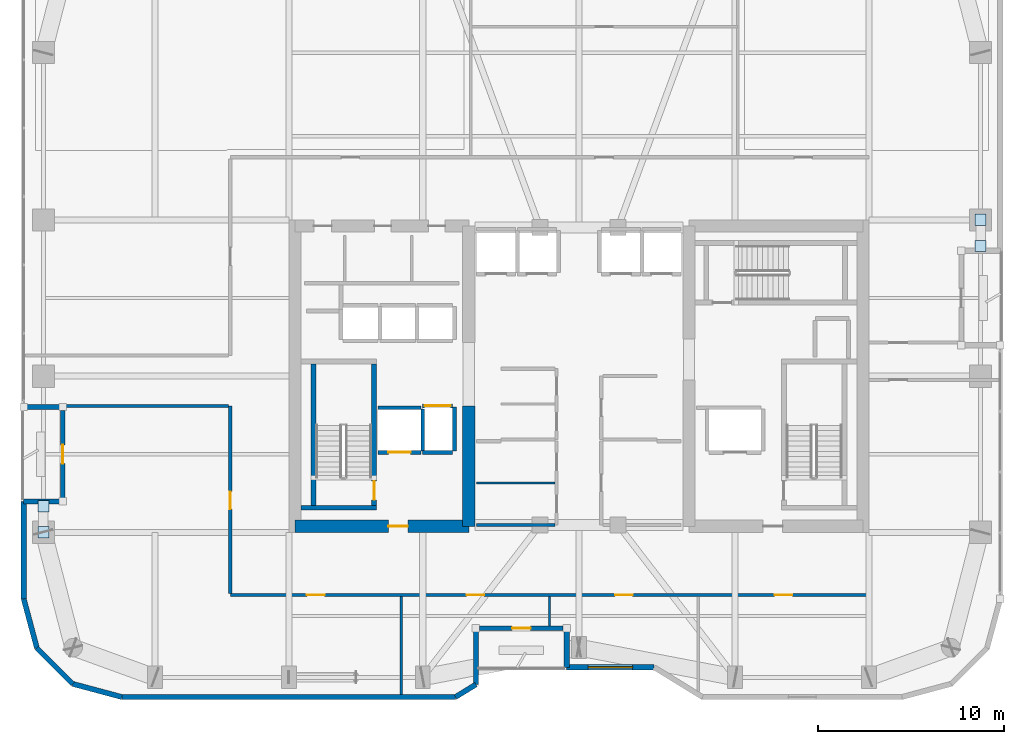
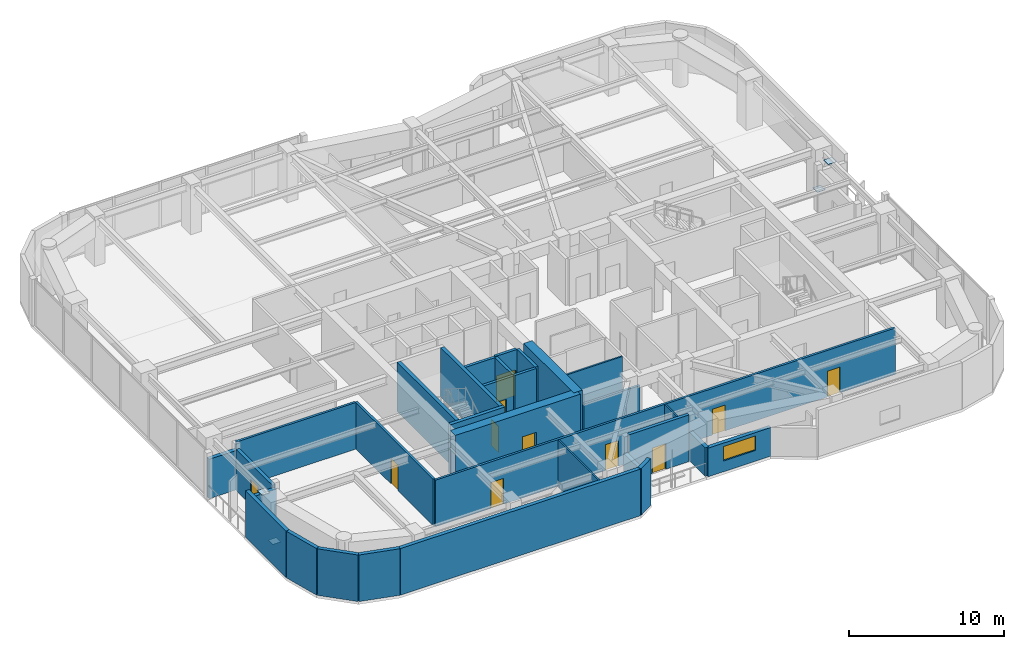
# One storey, part 24 of 30: 31 walls, 11 doors, 4 plates, 1 window, 12 openings.
"""IFC4 building model written with IfcOpenShell, lengths in metres."""

from ifc_helpers import new_model, si_unit, direction, frame, frame_2d, origin, origin_2d, place, context, subcontext, project, spatial, rectangle, extrude, material, layer, layer_set, type_object, element, fill, save


model = new_model("IFC4")

# Units and contexts
model_context = context("Model", 3, precision=1e-05, world=origin(), true_north=direction((0.0, 1.0)))
body_context = subcontext(model_context, "Body", "Model", "MODEL_VIEW")
ifc_project = project(units=[si_unit("LENGTHUNIT", "METRE"), si_unit("AREAUNIT", "SQUARE_METRE"), si_unit("VOLUMEUNIT", "CUBIC_METRE"), si_unit("PLANEANGLEUNIT", "RADIAN"), si_unit("MASSUNIT", "GRAM", prefix="KILO")], contexts=[model_context])

# Site, building, storey
site_placement = place(None, origin())
site = spatial("IfcSite", under=ifc_project, at=site_placement, CompositionType="ELEMENT")
building_placement = place(site_placement, origin())
building = spatial("IfcBuilding", under=site, at=building_placement, Name="Kiyonajd Concourse Tower", CompositionType="ELEMENT")
storey_placement = place(building_placement, frame((0.0, 0.0, 194.10009765625)))
storey = spatial("IfcBuildingStorey", under=building, at=storey_placement, Name="L49", CompositionType="ELEMENT", Elevation=194.10009765625)

# Plates
ifc_material_1 = material(Name="Steel ASTM A572 Grade 50", Category="steel")
ifc_layer_1 = layer(ifc_material_1, 0.028076171875)
ifc_layer_set_1 = layer_set([ifc_layer_1], Name="Steel ASTM A572 Grade 50")
plate_type = type_object("IfcPlateType", Name="PL-CAP-450", PredefinedType="USERDEFINED", material=ifc_layer_set_1)
for number, where, z_axis, x_axis, name in (
    (1, (19.199951171875, 27.595458984375, 0.27587890625), (0.0, 0.0, 1.0), (1.0, 0.0, 0.0), "L49 Hollow Brace End Cap Plate PBW"),
    (2, (19.199951171875, 29.004638671875, 3.32568359375), (0.0, 0.0, 1.0), (1.0, 0.0, 0.0), "L49 Hollow Brace Top Cap Plate PBW"),
    (3, (69.60009765625, 44.404541015625, 0.27587890625), (0.0, 0.0, 1.0), (1.0, 0.0, 0.0), "L49 Hollow Brace End Cap Plate PBE"),
    (4, (69.60009765625, 42.995361328125, 3.32568359375), (0.0, 0.0, 1.0), (1.0, 0.0, 0.0), "L49 Hollow Brace Top Cap Plate PBE"),
):
    element("IfcPlate", number, at=place(storey_placement, frame(where, z_axis=z_axis, x_axis=x_axis)), inside=storey, type_object=plate_type, Name=name, ObjectType="CAP PLATE", PredefinedType="USERDEFINED", context=body_context, shape_type="SweptSolid", body=[
        extrude(rectangle(XDim=0.60791015625, YDim=0.60791015625, at=origin_2d()), origin(), (0.0, 0.0, 1.0), 0.028076171875),
    ])

# Wall
ifc_material_2 = material(Name="Concrete C60/75", Category="concrete")
ifc_layer_2 = layer(ifc_material_2, 0.64990234375)
ifc_layer_set_2 = layer_set([ifc_layer_2], Name="Concrete C60/75")
wall_type_1 = type_object("IfcWallType", Name="WL-CORE-650", PredefinedType="SHEAR", material=ifc_layer_set_2)
wall_1_placement = place(storey_placement, frame((42.074951171875, 27.925048828125, 0.0), z_axis=(0.0, 0.0, 1.0), x_axis=(0.0, 1.0, 0.0)))
element("IfcWall", 5, at=wall_1_placement, inside=storey, type_object=wall_type_1, Name="L49 West Core Inner South Shear Wall", PredefinedType="SHEAR", context=body_context, shape_type="SweptSolid", body=[
    extrude(rectangle(XDim=6.474853515625, YDim=0.64990234375, at=frame_2d((3.2373046875, 0.0))), origin(), (0.0, 0.0, 1.0), 3.89990234375),
])

# Wall, opening, door
wall_2_placement = place(storey_placement, frame((32.72509765625, 27.925048828125, 0.0), z_axis=(0.0, 0.0, 1.0), x_axis=(1.0, 0.0, 0.0)))
wall_2 = element("IfcWall", 6, at=wall_2_placement, inside=storey, type_object=wall_type_1, Name="L49 West Core South Shear Wall", PredefinedType="SHEAR", context=body_context, shape_type="SweptSolid", body=[
    extrude(rectangle(XDim=9.349853515625, YDim=0.64990234375, at=frame_2d((4.6748046875, 0.0))), origin(), (0.0, 0.0, 1.0), 3.89990234375),
])
opening_1_placement = place(wall_2_placement, frame((5.02490234375, 0.0, 0.0)))
opening_1 = element("IfcOpeningElement", 7, at=opening_1_placement, cuts=wall_2, Name="Opening DF5", PredefinedType="OPENING", context=body_context, shape_type="SweptSolid", body=[
    extrude(rectangle(XDim=1.050048828125, YDim=2.0400390625, at=frame_2d((0.52490234375, 1.02001953125))), frame((0.0, 0.3349609375, 0.0), z_axis=(0.0, -1.0, 0.0), x_axis=(1.0, 0.0, 0.0)), (0.0, 0.0, 1.0), 0.669921875),
])
ifc_material_3 = material(Name="Brushed Stainless Steel Cab Assembly", Category="steel")
door_type_1 = type_object("IfcDoorType", Name="DR-FD45-1050", OperationType="NOTDEFINED", PredefinedType="DOOR", material=ifc_material_3)
door_1_placement = place(opening_1_placement, origin())
door_1 = element("IfcDoor", 8, at=door_1_placement, inside=storey, type_object=door_type_1, Name="L49 Firefighting Lift Lobby W Smoke Door", OperationType="SINGLE_SWING_LEFT", OverallHeight=2.0400390625, OverallWidth=1.050048828125, PredefinedType="DOOR", context=body_context, shape_type="SweptSolid", body=[
    extrude(rectangle(XDim=1.050048828125, YDim=2.0400390625, at=frame_2d((0.52490234375, 1.02001953125))), frame((0.0, 0.02490234375, 0.0), z_axis=(0.0, -1.0, 0.0), x_axis=(1.0, 0.0, 0.0)), (0.0, 0.0, 1.0), 0.050048828125),
])
fill(opening_1, door_1)

# Walls
ifc_material_4 = material(Name="Precast concrete C50/60", Category="concrete")
ifc_layer_3 = layer(ifc_material_4, 0.280029296875)
ifc_layer_set_3 = layer_set([ifc_layer_3], Name="Precast concrete C50/60")
wall_type_2 = type_object("IfcWallType", Name="WL-EXT-280", PredefinedType="SOLIDWALL", material=ifc_layer_set_3)
wall_3_placement = place(storey_placement, frame((18.848388671875, 21.37255859375, 0.0), z_axis=(0.0, 0.0, 1.0), x_axis=(-0.258672222976, 0.9659651552, 0.0)))
element("IfcWall", 9, at=wall_3_placement, inside=storey, type_object=wall_type_2, Name="L49 Exterior Concrete Frame Wall 00", PredefinedType="SOLIDWALL", context=body_context, shape_type="SweptSolid", body=[
    extrude(rectangle(XDim=2.739013671875, YDim=0.280029296875, at=frame_2d((1.36962890625, 0.0))), origin(), (0.0, 0.0, 1.0), 3.679931640625),
])
wall_4_placement = place(storey_placement, frame((18.139892578125, 24.018310546875, 0.0), z_axis=(0.0, 0.0, 1.0), x_axis=(0.0, 1.0, 0.0)))
element("IfcWall", 10, at=wall_4_placement, inside=storey, type_object=wall_type_2, Name="L49 Exterior Concrete Frame Wall 01", PredefinedType="SOLIDWALL", context=body_context, shape_type="SweptSolid", body=[
    extrude(rectangle(XDim=5.24169921875, YDim=0.280029296875, at=frame_2d((2.620849609375, 0.0))), origin(), (0.0, 0.0, 1.0), 3.679931640625),
])
for number, where, z_axis, x_axis, name in (
    (11, (18.139892578125, 29.260009765625, 0.0), (0.0, 0.0, 1.0), (1.0, 0.0, 0.0), "L49 Exterior Concrete Frame Wall 02"),
    (12, (20.239990234375, 34.340087890625, 0.0), (0.0, 0.0, 1.0), (-1.0, 0.0, 0.0), "L49 Exterior Concrete Frame Wall 04"),
):
    element("IfcWall", number, at=place(storey_placement, frame(where, z_axis=z_axis, x_axis=x_axis)), inside=storey, type_object=wall_type_2, Name=name, PredefinedType="SOLIDWALL", context=body_context, shape_type="SweptSolid", body=[
        extrude(rectangle(XDim=2.10009765625, YDim=0.280029296875, at=frame_2d((1.050048828125, 0.0))), origin(), (0.0, 0.0, 1.0), 3.115966796875),
    ])

# Wall, opening, window
wall_5_placement = place(storey_placement, frame((52.03955078125, 20.340087890625, 0.0), z_axis=(0.0, 0.0, 1.0), x_axis=(-1.0, 0.0, 0.0)))
wall_5 = element("IfcWall", 13, at=wall_5_placement, inside=storey, type_object=wall_type_2, Name="L49 Exterior Concrete Frame Wall 30", PredefinedType="SOLIDWALL", context=body_context, shape_type="SweptSolid", body=[
    extrude(rectangle(XDim=4.699462890625, YDim=0.280029296875, at=frame_2d((2.349609375, 0.0))), origin(), (0.0, 0.0, 1.0), 2.264892578125),
])
opening_2_placement = place(wall_5_placement, frame((1.14990234375, 0.0, 0.85009765625)))
opening_2 = element("IfcOpeningElement", 14, at=opening_2_placement, cuts=wall_5, Name="Opening WN4", PredefinedType="OPENING", context=body_context, shape_type="SweptSolid", body=[
    extrude(rectangle(XDim=2.39990234375, YDim=1.14990234375, at=frame_2d((1.199951171875, 0.574951171875))), frame((0.0, 0.14990234375, 0.0), z_axis=(0.0, -1.0, 0.0), x_axis=(1.0, 0.0, 0.0)), (0.0, 0.0, 1.0), 0.300048828125),
])
ifc_material_5 = material(Name="Double Low-E Insulated Glass", Category="glass")
window_type = type_object("IfcWindowType", Name="WN-VIS-2400x1150", PartitioningType="SINGLE_PANEL", PredefinedType="WINDOW", material=ifc_material_5)
window_placement = place(opening_2_placement, origin())
window = element("IfcWindow", 15, at=window_placement, inside=storey, type_object=window_type, Name="L49 Modular Facade Vision Window 30", OverallHeight=1.14990234375, OverallWidth=2.39990234375, PartitioningType="SINGLE_PANEL", PredefinedType="WINDOW", context=body_context, shape_type="SweptSolid", body=[
    extrude(rectangle(XDim=2.39990234375, YDim=1.14990234375, at=frame_2d((1.199951171875, 0.574951171875))), frame((0.0, 0.030029296875, 0.0), z_axis=(0.0, -1.0, 0.0), x_axis=(1.0, 0.0, 0.0)), (0.0, 0.0, 1.0), 0.06005859375),
])
fill(opening_2, window)

# Walls
wall_6_placement = place(storey_placement, frame((47.340087890625, 20.340087890625, 0.0), z_axis=(0.0, 0.0, 1.0), x_axis=(0.0, 1.0, 0.0)))
element("IfcWall", 16, at=wall_6_placement, inside=storey, type_object=wall_type_2, Name="L49 Exterior Concrete Frame Wall 31", PredefinedType="SOLIDWALL", context=body_context, shape_type="SweptSolid", body=[
    extrude(rectangle(XDim=2.099853515625, YDim=0.280029296875, at=frame_2d((1.0498046875, 0.0))), origin(), (0.0, 0.0, 1.0), 2.264892578125),
])
wall_7_placement = place(storey_placement, frame((42.4599609375, 22.43994140625, 0.0), z_axis=(0.0, 0.0, 1.0), x_axis=(0.0, -1.0, 0.0)))
element("IfcWall", 17, at=wall_7_placement, inside=storey, type_object=wall_type_2, Name="L49 Exterior Concrete Frame Wall 33", PredefinedType="SOLIDWALL", context=body_context, shape_type="SweptSolid", body=[
    extrude(rectangle(XDim=3.023681640625, YDim=0.280029296875, at=frame_2d((1.51171875, 0.0))), origin(), (0.0, 0.0, 1.0), 2.264892578125),
])
wall_8_placement = place(storey_placement, frame((42.4599609375, 19.416259765625, 0.0), z_axis=(0.0, 0.0, 1.0), x_axis=(-0.851801140441, -0.523865266212, 0.0)))
element("IfcWall", 18, at=wall_8_placement, inside=storey, type_object=wall_type_2, Name="L49 Exterior Concrete Frame Wall 34", PredefinedType="SOLIDWALL", context=body_context, shape_type="SweptSolid", body=[
    extrude(rectangle(XDim=1.291015625, YDim=0.280029296875, at=frame_2d((0.6455078125, 0.0))), origin(), (0.0, 0.0, 1.0), 3.679931640625),
])
wall_9_placement = place(storey_placement, frame((41.3603515625, 18.739990234375, 0.0), z_axis=(0.0, 0.0, 1.0), x_axis=(-1.0, 0.0, 0.0)))
element("IfcWall", 19, at=wall_9_placement, inside=storey, type_object=wall_type_2, Name="L49 Exterior Concrete Frame Wall 35", PredefinedType="SOLIDWALL", context=body_context, shape_type="SweptSolid", body=[
    extrude(rectangle(XDim=17.94189453125, YDim=0.280029296875, at=frame_2d((8.970947265625, 0.0))), origin(), (0.0, 0.0, 1.0), 3.679931640625),
])
wall_10_placement = place(storey_placement, frame((23.41845703125, 18.739990234375, 0.0), z_axis=(0.0, 0.0, 1.0), x_axis=(-0.965971118627, 0.258649952598, 0.0)))
element("IfcWall", 20, at=wall_10_placement, inside=storey, type_object=wall_type_2, Name="L49 Exterior Concrete Frame Wall 36", PredefinedType="SOLIDWALL", context=body_context, shape_type="SweptSolid", body=[
    extrude(rectangle(XDim=2.7392578125, YDim=0.280029296875, at=frame_2d((1.36962890625, 0.0))), origin(), (0.0, 0.0, 1.0), 3.679931640625),
])
wall_11_placement = place(storey_placement, frame((20.7724609375, 19.448486328125, 0.0), z_axis=(0.0, 0.0, 1.0), x_axis=(-0.707106781187, 0.707106781187, 0.0)))
element("IfcWall", 21, at=wall_11_placement, inside=storey, type_object=wall_type_2, Name="L49 Exterior Concrete Frame Wall 37", PredefinedType="SOLIDWALL", context=body_context, shape_type="SweptSolid", body=[
    extrude(rectangle(XDim=2.720947265625, YDim=0.280029296875, at=frame_2d((1.3603515625, 0.0))), origin(), (0.0, 0.0, 1.0), 3.679931640625),
])

# Wall, opening, door
ifc_layer_4 = layer(ifc_material_4, 0.239990234375)
ifc_layer_set_4 = layer_set([ifc_layer_4], Name="Precast concrete C50/60")
wall_type_3 = type_object("IfcWallType", Name="WL-LOG-240", PredefinedType="SOLIDWALL", material=ifc_layer_set_4)
wall_12_placement = place(storey_placement, frame((20.239990234375, 29.455078125, 0.0), z_axis=(0.0, 0.0, 1.0), x_axis=(0.0, 1.0, 0.0)))
wall_12 = element("IfcWall", 22, at=wall_12_placement, inside=storey, type_object=wall_type_3, Name="L49 Recessed Loggia Thermal Wall LOG-W", PredefinedType="SOLIDWALL", context=body_context, shape_type="SweptSolid", body=[
    extrude(rectangle(XDim=4.68994140625, YDim=0.239990234375, at=frame_2d((2.344970703125, 0.0))), origin(), (0.0, 0.0, 1.0), 3.247802734375),
])
opening_3_placement = place(wall_12_placement, frame((1.844970703125, 0.0, 0.0)))
opening_3 = element("IfcOpeningElement", 23, at=opening_3_placement, cuts=wall_12, Name="Opening DL1", PredefinedType="OPENING", context=body_context, shape_type="SweptSolid", body=[
    extrude(rectangle(XDim=1.0, YDim=2.02001953125, at=frame_2d((0.5, 1.010009765625))), frame((0.0, 0.1298828125, 0.0), z_axis=(0.0, -1.0, 0.0), x_axis=(1.0, 0.0, 0.0)), (0.0, 0.0, 1.0), 0.260009765625),
])
ifc_material_6 = material(Name="Thermally Broken Anodised Aluminium", Category="aluminium")
door_type_2 = type_object("IfcDoorType", Name="DR-LOG-1000", OperationType="NOTDEFINED", PredefinedType="DOOR", material=ifc_material_6)
door_2_placement = place(opening_3_placement, origin())
door_2 = element("IfcDoor", 24, at=door_2_placement, inside=storey, type_object=door_type_2, Name="L49 Engawa Loggia Access Door LOG-W", OperationType="SINGLE_SWING_LEFT", OverallHeight=2.02001953125, OverallWidth=1.0, PredefinedType="DOOR", context=body_context, shape_type="SweptSolid", body=[
    extrude(rectangle(XDim=1.0, YDim=2.02001953125, at=frame_2d((0.5, 1.010009765625))), frame((0.0, 0.02490234375, 0.0), z_axis=(0.0, -1.0, 0.0), x_axis=(1.0, 0.0, 0.0)), (0.0, 0.0, 1.0), 0.050048828125),
])
fill(opening_3, door_2)

wall_13_placement = place(storey_placement, frame((47.14501953125, 22.43994140625, 0.0), z_axis=(0.0, 0.0, 1.0), x_axis=(-1.0, 0.0, 0.0)))
wall_13 = element("IfcWall", 25, at=wall_13_placement, inside=storey, type_object=wall_type_3, Name="L49 Recessed Loggia Thermal Wall LOG-S", PredefinedType="SOLIDWALL", context=body_context, shape_type="SweptSolid", body=[
    extrude(rectangle(XDim=4.489990234375, YDim=0.239990234375, at=frame_2d((2.2451171875, 0.0))), origin(), (0.0, 0.0, 1.0), 3.679931640625),
])
opening_4_placement = place(wall_13_placement, frame((1.7451171875, 0.0, 0.0)))
opening_4 = element("IfcOpeningElement", 26, at=opening_4_placement, cuts=wall_13, Name="Opening DL1", PredefinedType="OPENING", context=body_context, shape_type="SweptSolid", body=[
    extrude(rectangle(XDim=1.0, YDim=2.02001953125, at=frame_2d((0.5, 1.010009765625))), frame((0.0, 0.1298828125, 0.0), z_axis=(0.0, -1.0, 0.0), x_axis=(1.0, 0.0, 0.0)), (0.0, 0.0, 1.0), 0.260009765625),
])
door_3_placement = place(opening_4_placement, origin())
door_3 = element("IfcDoor", 27, at=door_3_placement, inside=storey, type_object=door_type_2, Name="L49 Engawa Loggia Access Door LOG-S", OperationType="SINGLE_SWING_RIGHT", OverallHeight=2.02001953125, OverallWidth=1.0, PredefinedType="DOOR", context=body_context, shape_type="SweptSolid", body=[
    extrude(rectangle(XDim=1.0, YDim=2.02001953125, at=frame_2d((0.5, 1.010009765625))), frame((0.0, 0.02490234375, 0.0), z_axis=(0.0, -1.0, 0.0), x_axis=(1.0, 0.0, 0.0)), (0.0, 0.0, 1.0), 0.050048828125),
])
fill(opening_4, door_3)

# Walls
ifc_material_7 = material(Name="Gypsum Board on Cold-Formed Steel Stud", Category="steel")
ifc_layer_5 = layer(ifc_material_7, 0.125)
ifc_layer_set_5 = layer_set([ifc_layer_5], Name="Gypsum Board on Cold-Formed Steel Stud")
wall_type_4 = type_object("IfcWallType", Name="WL-PART-125", PredefinedType="PARTITIONING", material=ifc_layer_set_5)
wall_14_placement = place(storey_placement, frame((42.5, 30.25, 0.0), z_axis=(0.0, 0.0, 1.0), x_axis=(1.0, 0.0, 0.0)))
element("IfcWall", 28, at=wall_14_placement, inside=storey, type_object=wall_type_4, Name="L49 Interior Partition Wall", PredefinedType="PARTITIONING", context=body_context, shape_type="SweptSolid", body=[
    extrude(rectangle(XDim=4.212890625, YDim=0.125, at=frame_2d((2.1064453125, 0.0))), origin(), (0.0, 0.0, 1.0), 3.679931640625),
])
wall_15_placement = place(storey_placement, frame((38.43994140625, 18.875, 0.0), z_axis=(0.0, 0.0, 1.0), x_axis=(0.0, 1.0, 0.0)))
element("IfcWall", 29, at=wall_15_placement, inside=storey, type_object=wall_type_4, Name="L49 Interior Partition Wall", PredefinedType="PARTITIONING", context=body_context, shape_type="SweptSolid", body=[
    extrude(rectangle(XDim=5.26806640625, YDim=0.125, at=frame_2d((2.634033203125, 0.0))), origin(), (0.0, 0.0, 1.0), 3.679931640625),
])
wall_16_placement = place(storey_placement, frame((46.419921875, 22.554931640625, 0.0), z_axis=(0.0, 0.0, 1.0), x_axis=(0.0, 1.0, 0.0)))
element("IfcWall", 30, at=wall_16_placement, inside=storey, type_object=wall_type_4, Name="L49 Interior Partition Wall", PredefinedType="PARTITIONING", context=body_context, shape_type="SweptSolid", body=[
    extrude(rectangle(XDim=1.588134765625, YDim=0.125, at=frame_2d((0.7939453125, 0.0))), origin(), (0.0, 0.0, 1.0), 3.679931640625),
])

# Wall, opening, door
ifc_layer_6 = layer(ifc_material_7, 0.2099609375)
ifc_layer_set_6 = layer_set([ifc_layer_6], Name="Gypsum Board on Cold-Formed Steel Stud")
wall_type_5 = type_object("IfcWallType", Name="WL-SHAFT-210", PredefinedType="PARTITIONING", material=ifc_layer_set_6)
wall_17_placement = place(storey_placement, frame((37.199951171875, 31.89990234375, 0.0), z_axis=(0.0, 0.0, 1.0), x_axis=(1.0, 0.0, 0.0)))
wall_17 = element("IfcWall", 31, at=wall_17_placement, inside=storey, type_object=wall_type_5, Name="L49 Shaft Enclosure Wall", PredefinedType="PARTITIONING", context=body_context, shape_type="SweptSolid", body=[
    extrude(rectangle(XDim=2.300048828125, YDim=0.2099609375, at=frame_2d((1.14990234375, 0.0))), origin(), (0.0, 0.0, 1.0), 3.679931640625),
])
opening_5_placement = place(wall_17_placement, frame((0.550048828125, 0.0, 0.0)))
opening_5 = element("IfcOpeningElement", 32, at=opening_5_placement, cuts=wall_17, Name="Opening LD2", PredefinedType="OPENING", context=body_context, shape_type="SweptSolid", body=[
    extrude(rectangle(XDim=1.199951171875, YDim=2.0400390625, at=frame_2d((0.60009765625, 1.02001953125))), frame((0.0, 0.114990234375, 0.0), z_axis=(0.0, -1.0, 0.0), x_axis=(1.0, 0.0, 0.0)), (0.0, 0.0, 1.0), 0.22998046875),
])
door_type_3 = type_object("IfcDoorType", Name="DR-LD-1200", OperationType="DOUBLE_DOOR_SLIDING", PredefinedType="DOOR", material=ifc_material_3)
door_4_placement = place(opening_5_placement, origin())
door_4 = element("IfcDoor", 33, at=door_4_placement, inside=storey, type_object=door_type_3, Name="L49 Lift FFL1 Sliding Landing Door", OperationType="DOUBLE_DOOR_SLIDING", OverallHeight=2.0400390625, OverallWidth=1.199951171875, PredefinedType="DOOR", context=body_context, shape_type="SweptSolid", body=[
    extrude(rectangle(XDim=1.199951171875, YDim=2.0400390625, at=frame_2d((0.60009765625, 1.02001953125))), frame((0.0, 0.02490234375, 0.0), z_axis=(0.0, -1.0, 0.0), x_axis=(1.0, 0.0, 0.0)), (0.0, 0.0, 1.0), 0.050048828125),
])
fill(opening_5, door_4)

# Walls
wall_18_placement = place(storey_placement, frame((37.199951171875, 34.300048828125, 0.0), z_axis=(0.0, 0.0, 1.0), x_axis=(1.0, 0.0, 0.0)))
element("IfcWall", 34, at=wall_18_placement, inside=storey, type_object=wall_type_5, Name="L49 Shaft Enclosure Wall", PredefinedType="PARTITIONING", context=body_context, shape_type="SweptSolid", body=[
    extrude(rectangle(XDim=2.300048828125, YDim=0.2099609375, at=frame_2d((1.14990234375, 0.0))), origin(), (0.0, 0.0, 1.0), 3.679931640625),
])
wall_19_placement = place(storey_placement, frame((39.60009765625, 31.9599609375, 0.0), z_axis=(0.0, 0.0, 1.0), x_axis=(0.0, 1.0, 0.0)))
element("IfcWall", 35, at=wall_19_placement, inside=storey, type_object=wall_type_5, Name="L49 Shaft Enclosure Wall", PredefinedType="PARTITIONING", context=body_context, shape_type="SweptSolid", body=[
    extrude(rectangle(XDim=2.280029296875, YDim=0.2099609375, at=frame_2d((1.14013671875, 0.0))), origin(), (0.0, 0.0, 1.0), 3.679931640625),
])

# Wall, opening, door
wall_20_placement = place(storey_placement, frame((39.60009765625, 34.39990234375, 0.0), z_axis=(0.0, 0.0, 1.0), x_axis=(1.0, 0.0, 0.0)))
wall_20 = element("IfcWall", 36, at=wall_20_placement, inside=storey, type_object=wall_type_5, Name="L49 Shaft Enclosure Wall", PredefinedType="PARTITIONING", context=body_context, shape_type="SweptSolid", body=[
    extrude(rectangle(XDim=1.599853515625, YDim=0.2099609375, at=frame_2d((0.7998046875, 0.0))), origin(), (0.0, 0.0, 1.0), 3.679931640625),
])
opening_6_placement = place(wall_20_placement, frame((0.10009765625, 0.0, 0.0)))
opening_6 = element("IfcOpeningElement", 37, at=opening_6_placement, cuts=wall_20, Name="Opening LD3", PredefinedType="OPENING", context=body_context, shape_type="SweptSolid", body=[
    extrude(rectangle(XDim=1.39990234375, YDim=2.06005859375, at=frame_2d((0.699951171875, 1.030029296875))), frame((0.0, 0.114990234375, 0.0), z_axis=(0.0, -1.0, 0.0), x_axis=(1.0, 0.0, 0.0)), (0.0, 0.0, 1.0), 0.22998046875),
])
door_type_4 = type_object("IfcDoorType", Name="DR-LD-1400", OperationType="DOUBLE_DOOR_SLIDING", PredefinedType="DOOR", material=ifc_material_3)
door_5_placement = place(opening_6_placement, origin())
door_5 = element("IfcDoor", 38, at=door_5_placement, inside=storey, type_object=door_type_4, Name="L49 Lift SVL1 Sliding Landing Door", OperationType="DOUBLE_DOOR_SLIDING", OverallHeight=2.06005859375, OverallWidth=1.39990234375, PredefinedType="DOOR", context=body_context, shape_type="SweptSolid", body=[
    extrude(rectangle(XDim=1.39990234375, YDim=2.06005859375, at=frame_2d((0.699951171875, 1.030029296875))), frame((0.0, 0.02490234375, 0.0), z_axis=(0.0, -1.0, 0.0), x_axis=(1.0, 0.0, 0.0)), (0.0, 0.0, 1.0), 0.050048828125),
])
fill(opening_6, door_5)

# Walls
wall_21_placement = place(storey_placement, frame((39.60009765625, 31.89990234375, 0.0), z_axis=(0.0, 0.0, 1.0), x_axis=(1.0, 0.0, 0.0)))
element("IfcWall", 39, at=wall_21_placement, inside=storey, type_object=wall_type_5, Name="L49 Shaft Enclosure Wall", PredefinedType="PARTITIONING", context=body_context, shape_type="SweptSolid", body=[
    extrude(rectangle(XDim=1.599853515625, YDim=0.2099609375, at=frame_2d((0.7998046875, 0.0))), origin(), (0.0, 0.0, 1.0), 3.679931640625),
])
wall_22_placement = place(storey_placement, frame((41.300048828125, 31.9599609375, 0.0), z_axis=(0.0, 0.0, 1.0), x_axis=(0.0, 1.0, 0.0)))
element("IfcWall", 40, at=wall_22_placement, inside=storey, type_object=wall_type_5, Name="L49 Shaft Enclosure Wall", PredefinedType="PARTITIONING", context=body_context, shape_type="SweptSolid", body=[
    extrude(rectangle(XDim=2.380126953125, YDim=0.2099609375, at=frame_2d((1.18994140625, 0.0))), origin(), (0.0, 0.0, 1.0), 3.679931640625),
])
ifc_layer_7 = layer(ifc_material_7, 0.169921875)
ifc_layer_set_7 = layer_set([ifc_layer_7], Name="Gypsum Board on Cold-Formed Steel Stud")
wall_type_6 = type_object("IfcWallType", Name="WL-SMK-170", PredefinedType="PARTITIONING", material=ifc_layer_set_7)
wall_23_placement = place(storey_placement, frame((42.5, 28.0, 0.0), z_axis=(0.0, 0.0, 1.0), x_axis=(1.0, 0.0, 0.0)))
element("IfcWall", 41, at=wall_23_placement, inside=storey, type_object=wall_type_6, Name="L49 Interior Partition Wall", PredefinedType="PARTITIONING", context=body_context, shape_type="SweptSolid", body=[
    extrude(rectangle(XDim=4.212890625, YDim=0.169921875, at=frame_2d((2.1064453125, 0.0))), origin(), (0.0, 0.0, 1.0), 2.764892578125),
])

# Wall, openings, doors
wall_24_placement = place(storey_placement, frame((29.25, 24.22998046875, 0.0), z_axis=(0.0, 0.0, 1.0), x_axis=(1.0, 0.0, 0.0)))
wall_24 = element("IfcWall", 42, at=wall_24_placement, inside=storey, type_object=wall_type_6, Name="L49 Interior Partition Wall", PredefinedType="PARTITIONING", context=body_context, shape_type="SweptSolid", body=[
    extrude(rectangle(XDim=34.35009765625, YDim=0.169921875, at=frame_2d((17.175048828125, 0.0))), origin(), (0.0, 0.0, 1.0), 3.679931640625),
])
opening_7_placement = place(wall_24_placement, frame((4.1201171875, 0.0, 0.0)))
opening_7 = element("IfcOpeningElement", 43, at=opening_7_placement, cuts=wall_24, Name="Opening DI1", PredefinedType="OPENING", context=body_context, shape_type="SweptSolid", body=[
    extrude(rectangle(XDim=0.949951171875, YDim=2.0400390625, at=frame_2d((0.47509765625, 1.02001953125))), frame((0.0, 0.094970703125, 0.0), z_axis=(0.0, -1.0, 0.0), x_axis=(1.0, 0.0, 0.0)), (0.0, 0.0, 1.0), 0.18994140625),
])
opening_8_placement = place(wall_24_placement, frame((12.705078125, 0.0, 0.0)))
opening_8 = element("IfcOpeningElement", 44, at=opening_8_placement, cuts=wall_24, Name="Opening DI1", PredefinedType="OPENING", context=body_context, shape_type="SweptSolid", body=[
    extrude(rectangle(XDim=0.949951171875, YDim=2.0400390625, at=frame_2d((0.47509765625, 1.02001953125))), frame((0.0, 0.094970703125, 0.0), z_axis=(0.0, -1.0, 0.0), x_axis=(1.0, 0.0, 0.0)), (0.0, 0.0, 1.0), 0.18994140625),
])
opening_9_placement = place(wall_24_placement, frame((20.68994140625, 0.0, 0.0)))
opening_9 = element("IfcOpeningElement", 45, at=opening_9_placement, cuts=wall_24, Name="Opening DI1", PredefinedType="OPENING", context=body_context, shape_type="SweptSolid", body=[
    extrude(rectangle(XDim=0.949951171875, YDim=2.0400390625, at=frame_2d((0.47509765625, 1.02001953125))), frame((0.0, 0.094970703125, 0.0), z_axis=(0.0, -1.0, 0.0), x_axis=(1.0, 0.0, 0.0)), (0.0, 0.0, 1.0), 0.18994140625),
])
opening_10_placement = place(wall_24_placement, frame((29.280029296875, 0.0, 0.0)))
opening_10 = element("IfcOpeningElement", 46, at=opening_10_placement, cuts=wall_24, Name="Opening DI1", PredefinedType="OPENING", context=body_context, shape_type="SweptSolid", body=[
    extrude(rectangle(XDim=0.949951171875, YDim=2.0400390625, at=frame_2d((0.47509765625, 1.02001953125))), frame((0.0, 0.094970703125, 0.0), z_axis=(0.0, -1.0, 0.0), x_axis=(1.0, 0.0, 0.0)), (0.0, 0.0, 1.0), 0.18994140625),
])
ifc_material_8 = material(Name="Natural Oak Acoustic Timber Veneer", Category="wood")
door_type_5 = type_object("IfcDoorType", Name="DR-INT-950", OperationType="NOTDEFINED", PredefinedType="DOOR", material=ifc_material_8)
door_6_placement = place(opening_7_placement, origin())
door_6 = element("IfcDoor", 47, at=door_6_placement, inside=storey, type_object=door_type_5, Name="L49 Interior Door", OperationType="SINGLE_SWING_RIGHT", OverallHeight=2.0400390625, OverallWidth=0.949951171875, PredefinedType="DOOR", context=body_context, shape_type="SweptSolid", body=[
    extrude(rectangle(XDim=0.949951171875, YDim=2.0400390625, at=frame_2d((0.47509765625, 1.02001953125))), frame((0.0, 0.02490234375, 0.0), z_axis=(0.0, -1.0, 0.0), x_axis=(1.0, 0.0, 0.0)), (0.0, 0.0, 1.0), 0.050048828125),
])
fill(opening_7, door_6)
door_7_placement = place(opening_8_placement, origin())
door_7 = element("IfcDoor", 48, at=door_7_placement, inside=storey, type_object=door_type_5, Name="L49 Interior Door", OperationType="SINGLE_SWING_LEFT", OverallHeight=2.0400390625, OverallWidth=0.949951171875, PredefinedType="DOOR", context=body_context, shape_type="SweptSolid", body=[
    extrude(rectangle(XDim=0.949951171875, YDim=2.0400390625, at=frame_2d((0.47509765625, 1.02001953125))), frame((0.0, 0.02490234375, 0.0), z_axis=(0.0, -1.0, 0.0), x_axis=(1.0, 0.0, 0.0)), (0.0, 0.0, 1.0), 0.050048828125),
])
fill(opening_8, door_7)
door_8_placement = place(opening_9_placement, origin())
door_8 = element("IfcDoor", 49, at=door_8_placement, inside=storey, type_object=door_type_5, Name="L49 Interior Door", OperationType="SINGLE_SWING_RIGHT", OverallHeight=2.0400390625, OverallWidth=0.949951171875, PredefinedType="DOOR", context=body_context, shape_type="SweptSolid", body=[
    extrude(rectangle(XDim=0.949951171875, YDim=2.0400390625, at=frame_2d((0.47509765625, 1.02001953125))), frame((0.0, 0.02490234375, 0.0), z_axis=(0.0, -1.0, 0.0), x_axis=(1.0, 0.0, 0.0)), (0.0, 0.0, 1.0), 0.050048828125),
])
fill(opening_9, door_8)
door_9_placement = place(opening_10_placement, origin())
door_9 = element("IfcDoor", 50, at=door_9_placement, inside=storey, type_object=door_type_5, Name="L49 Interior Door", OperationType="SINGLE_SWING_LEFT", OverallHeight=2.0400390625, OverallWidth=0.949951171875, PredefinedType="DOOR", context=body_context, shape_type="SweptSolid", body=[
    extrude(rectangle(XDim=0.949951171875, YDim=2.0400390625, at=frame_2d((0.47509765625, 1.02001953125))), frame((0.0, 0.02490234375, 0.0), z_axis=(0.0, -1.0, 0.0), x_axis=(1.0, 0.0, 0.0)), (0.0, 0.0, 1.0), 0.050048828125),
])
fill(opening_10, door_9)

# Wall, opening, door
wall_25_placement = place(storey_placement, frame((29.25, 24.31689453125, 0.0), z_axis=(0.0, 0.0, 1.0), x_axis=(0.0, 1.0, 0.0)))
wall_25 = element("IfcWall", 51, at=wall_25_placement, inside=storey, type_object=wall_type_6, Name="L49 Interior Partition Wall", PredefinedType="PARTITIONING", context=body_context, shape_type="SweptSolid", body=[
    extrude(rectangle(XDim=10.0830078125, YDim=0.169921875, at=frame_2d((5.04150390625, 0.0))), origin(), (0.0, 0.0, 1.0), 3.679931640625),
])
opening_11_placement = place(wall_25_placement, frame((4.52294921875, 0.0, 0.0)))
opening_11 = element("IfcOpeningElement", 52, at=opening_11_placement, cuts=wall_25, Name="Opening DI1", PredefinedType="OPENING", context=body_context, shape_type="SweptSolid", body=[
    extrude(rectangle(XDim=0.949951171875, YDim=2.0400390625, at=frame_2d((0.47509765625, 1.02001953125))), frame((0.0, 0.094970703125, 0.0), z_axis=(0.0, -1.0, 0.0), x_axis=(1.0, 0.0, 0.0)), (0.0, 0.0, 1.0), 0.18994140625),
])
door_10_placement = place(opening_11_placement, origin())
door_10 = element("IfcDoor", 53, at=door_10_placement, inside=storey, type_object=door_type_5, Name="L49 Interior Door", OperationType="SINGLE_SWING_RIGHT", OverallHeight=2.0400390625, OverallWidth=0.949951171875, PredefinedType="DOOR", context=body_context, shape_type="SweptSolid", body=[
    extrude(rectangle(XDim=0.949951171875, YDim=2.0400390625, at=frame_2d((0.47509765625, 1.02001953125))), frame((0.0, 0.02490234375, 0.0), z_axis=(0.0, -1.0, 0.0), x_axis=(1.0, 0.0, 0.0)), (0.0, 0.0, 1.0), 0.050048828125),
])
fill(opening_11, door_10)

# Walls
wall_26_placement = place(storey_placement, frame((20.239990234375, 34.39990234375, 0.0), z_axis=(0.0, 0.0, 1.0), x_axis=(1.0, 0.0, 0.0)))
element("IfcWall", 54, at=wall_26_placement, inside=storey, type_object=wall_type_6, Name="L49 Interior Partition Wall", PredefinedType="PARTITIONING", context=body_context, shape_type="SweptSolid", body=[
    extrude(rectangle(XDim=8.923095703125, YDim=0.169921875, at=frame_2d((4.46142578125, 0.0))), origin(), (0.0, 0.0, 1.0), 3.679931640625),
])
ifc_material_9 = material(Name="Concrete C50/60", Category="concrete")
ifc_layer_8 = layer(ifc_material_9, 0.260009765625)
ifc_layer_set_8 = layer_set([ifc_layer_8], Name="Concrete C50/60")
wall_type_7 = type_object("IfcWallType", Name="WL-STAIR-260", PredefinedType="SHEAR", material=ifc_layer_set_8)
wall_27_placement = place(storey_placement, frame((33.050048828125, 28.919921875, 0.0), z_axis=(0.0, 0.0, 1.0), x_axis=(1.0, 0.0, 0.0)))
element("IfcWall", 55, at=wall_27_placement, inside=storey, type_object=wall_type_7, Name="L49 Stair ST1 Structural South Wall", PredefinedType="SHEAR", context=body_context, shape_type="SweptSolid", body=[
    extrude(rectangle(XDim=4.06005859375, YDim=0.260009765625, at=frame_2d((2.030029296875, 0.0))), origin(), (0.0, 0.0, 1.0), 3.89990234375),
])
wall_28_placement = place(storey_placement, frame((33.719970703125, 29.050048828125, 0.0), z_axis=(0.0, 0.0, 1.0), x_axis=(0.0, 1.0, 0.0)))
element("IfcWall", 56, at=wall_28_placement, inside=storey, type_object=wall_type_7, Name="L49 Stair ST1 Structural West Wall", PredefinedType="SHEAR", context=body_context, shape_type="SweptSolid", body=[
    extrude(rectangle(XDim=7.599853515625, YDim=0.260009765625, at=frame_2d((3.7998046875, 0.0))), origin(), (0.0, 0.0, 1.0), 3.89990234375),
])

# Wall, opening, door
wall_29_placement = place(storey_placement, frame((36.97998046875, 29.050048828125, 0.0), z_axis=(0.0, 0.0, 1.0), x_axis=(0.0, 1.0, 0.0)))
wall_29 = element("IfcWall", 57, at=wall_29_placement, inside=storey, type_object=wall_type_7, Name="L49 Stair ST1 Structural East Wall", PredefinedType="SHEAR", context=body_context, shape_type="SweptSolid", body=[
    extrude(rectangle(XDim=7.599853515625, YDim=0.260009765625, at=frame_2d((3.7998046875, 0.0))), origin(), (0.0, 0.0, 1.0), 3.89990234375),
])
opening_12_placement = place(wall_29_placement, frame((0.300048828125, 0.0, 0.0)))
opening_12 = element("IfcOpeningElement", 58, at=opening_12_placement, cuts=wall_29, Name="Opening DF1", PredefinedType="OPENING", context=body_context, shape_type="SweptSolid", body=[
    extrude(rectangle(XDim=1.0, YDim=2.0400390625, at=frame_2d((0.5, 1.02001953125))), frame((0.0, 0.139892578125, 0.0), z_axis=(0.0, -1.0, 0.0), x_axis=(1.0, 0.0, 0.0)), (0.0, 0.0, 1.0), 0.280029296875),
])
door_type_6 = type_object("IfcDoorType", Name="DR-FD90-1000", OperationType="NOTDEFINED", PredefinedType="DOOR", material=ifc_material_3)
door_11_placement = place(opening_12_placement, origin())
door_11 = element("IfcDoor", 59, at=door_11_placement, inside=storey, type_object=door_type_6, Name="L49 Stair ST1 FSAE Door", OperationType="SINGLE_SWING_LEFT", OverallHeight=2.0400390625, OverallWidth=1.0, PredefinedType="DOOR", context=body_context, shape_type="SweptSolid", body=[
    extrude(rectangle(XDim=1.0, YDim=2.0400390625, at=frame_2d((0.5, 1.02001953125))), frame((0.0, 0.02490234375, 0.0), z_axis=(0.0, -1.0, 0.0), x_axis=(1.0, 0.0, 0.0)), (0.0, 0.0, 1.0), 0.050048828125),
])
fill(opening_12, door_11)

save(model, "model.ifc")
